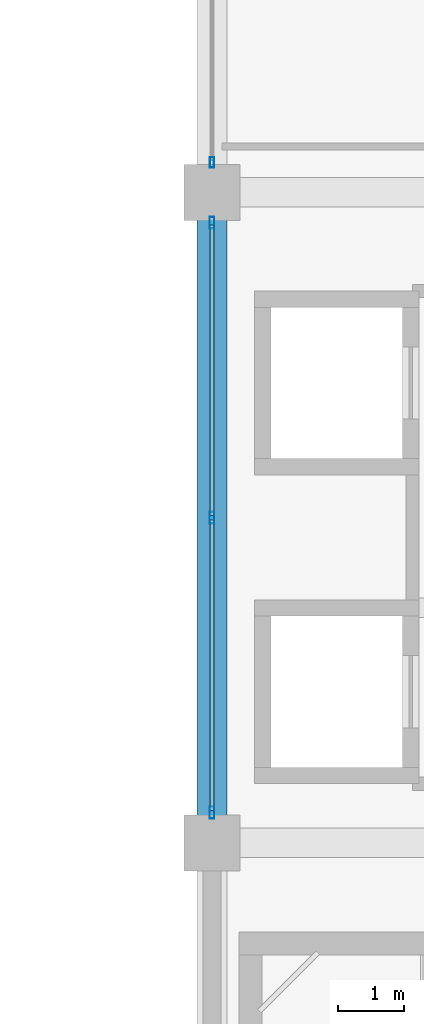
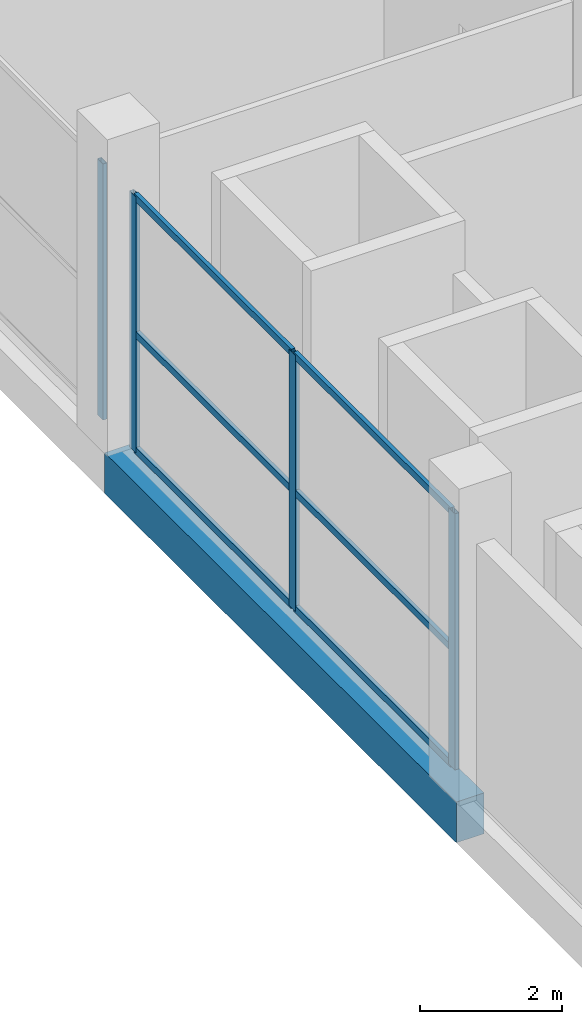
# One storey, part 4 of 74: 10 members, 1 beam, 2 elements without a shape of their own.
"""IFC4 building model written with IfcOpenShell, lengths in metres."""

from ifc_helpers import new_model, si_unit, direction, frame, origin, origin_2d, place, context, subcontext, project, spatial, rectangle, hollow_rectangle, extrude, material, layer, layer_set, material_profile, profile_set, type_object, element, aggregate, save


model = new_model("IFC4")

# Units and contexts
model_context = context("Model", 3, precision=1e-05, world=origin(), true_north=direction((0.0, 1.0)))
body_context = subcontext(model_context, "Body", "Model", "MODEL_VIEW")
ifc_project = project(units=[si_unit("LENGTHUNIT", "METRE"), si_unit("AREAUNIT", "SQUARE_METRE"), si_unit("VOLUMEUNIT", "CUBIC_METRE"), si_unit("PLANEANGLEUNIT", "RADIAN"), si_unit("MASSUNIT", "GRAM", prefix="KILO")], contexts=[model_context])

# Site, building, storey
site_placement = place(None, origin())
site = spatial("IfcSite", under=ifc_project, at=site_placement, CompositionType="ELEMENT")
building_placement = place(site_placement, origin())
building = spatial("IfcBuilding", under=site, at=building_placement, Name="Sillaruma Civic Art Gallery", CompositionType="ELEMENT")
storey_placement = place(building_placement, frame((0.0, 0.0, 5.43994140625)))
storey = spatial("IfcBuildingStorey", under=building, at=storey_placement, Name="L01", CompositionType="ELEMENT", Elevation=5.43994140625)

# Beam
ifc_material_1 = material(Name="Concrete H35 (35 MPa)", Category="concrete")
ifc_material_profile_1 = material_profile(ifc_material_1, rectangle(XDim=0.449951171875, YDim=0.699951171875, at=origin_2d()), Name="RCB450x700")
ifc_profile_set_1 = profile_set([ifc_material_profile_1], Name="Concrete H35 (35 MPa)")
beam_type = type_object("IfcBeamType", Name="BM-SPANDREL-RCB450x700", PredefinedType="SPANDREL", material=ifc_profile_set_1)
beam_placement = place(storey_placement, frame((62.0, 39.60009765625, -0.60986328125), z_axis=(0.0, 1.0, 0.0), x_axis=(-1.0, 0.0, 0.0)))
element("IfcBeam", 1, at=beam_placement, inside=storey, type_object=beam_type, Name="Beam BS-03 (L00:F:5-6)", PredefinedType="SPANDREL", context=body_context, shape_type="SweptSolid", body=[
    extrude(rectangle(XDim=0.449951171875, YDim=0.699951171875, at=origin_2d()), origin(), (0.0, 0.0, 1.0), 9.89990234375),
])

# Curtain wall, member
ifc_material_2 = material(Name="Thermally Broken Extruded Aluminium 6063-T6", Category="aluminium")
ifc_layer_1 = layer(ifc_material_2, 0.159912109375, Name="Thermally Broken Extruded Aluminium 6063-T6")
ifc_layer_set_1 = layer_set([ifc_layer_1], Name="Thermally Broken Extruded Aluminium 6063-T6")
curtain_wall_type_1 = type_object("IfcCurtainWallType", Name="CW-UNI-14", PredefinedType="NOTDEFINED", material=ifc_layer_set_1)
curtain_wall_1_placement = place(storey_placement, origin())
curtain_wall_1 = element("IfcCurtainWall", 2, at=curtain_wall_1_placement, inside=storey, type_object=curtain_wall_type_1, Name="Unitised Curtain Wall CW-14 (CW-L01-SPW-4)", PredefinedType="NOTDEFINED")
ifc_material_profile_2 = material_profile(ifc_material_2, hollow_rectangle(XDim=0.06494140625, YDim=0.159912109375, WallThickness=0.00390625, at=origin_2d()), Name="CWM65x160")
ifc_profile_set_2 = profile_set([ifc_material_profile_2], Name="Thermally Broken Extruded Aluminium 6063-T6")
member_type_1 = type_object("IfcMemberType", Name="MEM-MUL-CWM65x160", PredefinedType="MULLION", material=ifc_profile_set_2)
member_1_placement = place(storey_placement, frame((62.0, 49.95751953125, 0.0), z_axis=(0.0, 0.0, 1.0), x_axis=(-1.0, 0.0, 0.0)))
member_1 = element("IfcMember", 3, at=member_1_placement, type_object=member_type_1, Name="CW-14 mullion 1", PredefinedType="MULLION", context=body_context, shape_type="SweptSolid", body=[
    extrude(hollow_rectangle(XDim=0.06494140625, YDim=0.159912109375, WallThickness=0.00390625, at=origin_2d()), origin(), (0.0, 0.0, 1.0), 4.400146484375),
])
aggregate(curtain_wall_1, [member_1])

# Curtain wall, members
ifc_layer_2 = layer(ifc_material_2, 0.179931640625, Name="Thermally Broken Extruded Aluminium 6063-T6")
ifc_layer_set_2 = layer_set([ifc_layer_2], Name="Thermally Broken Extruded Aluminium 6063-T6")
curtain_wall_type_2 = type_object("IfcCurtainWallType", Name="CW-UNI-13", PredefinedType="NOTDEFINED", material=ifc_layer_set_2)
curtain_wall_2_placement = place(storey_placement, origin())
curtain_wall_2 = element("IfcCurtainWall", 4, at=curtain_wall_2_placement, inside=storey, type_object=curtain_wall_type_2, Name="Unitised Curtain Wall CW-13 (CW-L01-SPW-3)", PredefinedType="NOTDEFINED")
ifc_material_profile_3 = material_profile(ifc_material_2, hollow_rectangle(XDim=0.070068359375, YDim=0.179931640625, WallThickness=0.00390625, at=origin_2d()), Name="CWM70x180")
ifc_profile_set_3 = profile_set([ifc_material_profile_3], Name="Thermally Broken Extruded Aluminium 6063-T6")
member_type_2 = type_object("IfcMemberType", Name="MEM-MUL-CWM70x180", PredefinedType="MULLION", material=ifc_profile_set_3)
member_2_placement = place(storey_placement, frame((62.0, 40.06005859375, 0.0), z_axis=(0.0, 0.0, 1.0), x_axis=(-1.0, 0.0, 0.0)))
member_2 = element("IfcMember", 5, at=member_2_placement, type_object=member_type_2, Name="CW-13 mullion 1", PredefinedType="MULLION", context=body_context, shape_type="SweptSolid", body=[
    extrude(hollow_rectangle(XDim=0.070068359375, YDim=0.179931640625, WallThickness=0.00390625, at=origin_2d()), origin(), (0.0, 0.0, 1.0), 4.400146484375),
])
member_3_placement = place(storey_placement, frame((62.0, 44.550048828125, 0.0), z_axis=(0.0, 0.0, 1.0), x_axis=(-1.0, 0.0, 0.0)))
member_3 = element("IfcMember", 6, at=member_3_placement, type_object=member_type_2, Name="CW-13 mullion 2", PredefinedType="MULLION", context=body_context, shape_type="SweptSolid", body=[
    extrude(hollow_rectangle(XDim=0.070068359375, YDim=0.179931640625, WallThickness=0.00390625, at=origin_2d()), origin(), (0.0, 0.0, 1.0), 4.400146484375),
])
member_4_placement = place(storey_placement, frame((62.0, 49.0400390625, 0.0), z_axis=(0.0, 0.0, 1.0), x_axis=(-1.0, 0.0, 0.0)))
member_4 = element("IfcMember", 7, at=member_4_placement, type_object=member_type_2, Name="CW-13 mullion 3", PredefinedType="MULLION", context=body_context, shape_type="SweptSolid", body=[
    extrude(hollow_rectangle(XDim=0.070068359375, YDim=0.179931640625, WallThickness=0.00390625, at=origin_2d()), origin(), (0.0, 0.0, 1.0), 4.400146484375),
])
ifc_material_profile_4 = material_profile(ifc_material_2, hollow_rectangle(XDim=0.06494140625, YDim=0.1201171875, WallThickness=0.00341796875, at=origin_2d()), Name="CWT65x120")
ifc_profile_set_4 = profile_set([ifc_material_profile_4], Name="Thermally Broken Extruded Aluminium 6063-T6")
member_type_3 = type_object("IfcMemberType", Name="MEM-TRN-CWT65x120", PredefinedType="USERDEFINED", material=ifc_profile_set_4)
member_5_placement = place(storey_placement, frame((62.0, 40.094970703125, 0.032470703125), z_axis=(0.0, 1.0, 0.0), x_axis=(-1.0, 0.0, 0.0)))
member_5 = element("IfcMember", 8, at=member_5_placement, type_object=member_type_3, Name="CW-13 transom 1.1", ObjectType="TRANSOM", PredefinedType="USERDEFINED", context=body_context, shape_type="SweptSolid", body=[
    extrude(hollow_rectangle(XDim=0.06494140625, YDim=0.1201171875, WallThickness=0.00341796875, at=origin_2d()), origin(), (0.0, 0.0, 1.0), 4.419921875),
])
member_6_placement = place(storey_placement, frame((62.0, 40.094970703125, 2.024169921875), z_axis=(0.0, 1.0, 0.0), x_axis=(-1.0, 0.0, 0.0)))
member_6 = element("IfcMember", 9, at=member_6_placement, type_object=member_type_3, Name="CW-13 transom 1.2", ObjectType="TRANSOM", PredefinedType="USERDEFINED", context=body_context, shape_type="SweptSolid", body=[
    extrude(hollow_rectangle(XDim=0.06494140625, YDim=0.1201171875, WallThickness=0.00341796875, at=origin_2d()), origin(), (0.0, 0.0, 1.0), 4.419921875),
])
member_7_placement = place(storey_placement, frame((62.0, 40.094970703125, 4.36767578125), z_axis=(0.0, 1.0, 0.0), x_axis=(-1.0, 0.0, 0.0)))
member_7 = element("IfcMember", 10, at=member_7_placement, type_object=member_type_3, Name="CW-13 transom 1.3", ObjectType="TRANSOM", PredefinedType="USERDEFINED", context=body_context, shape_type="SweptSolid", body=[
    extrude(hollow_rectangle(XDim=0.06494140625, YDim=0.1201171875, WallThickness=0.00341796875, at=origin_2d()), origin(), (0.0, 0.0, 1.0), 4.419921875),
])
member_8_placement = place(storey_placement, frame((62.0, 44.5849609375, 0.032470703125), z_axis=(0.0, 1.0, 0.0), x_axis=(-1.0, 0.0, 0.0)))
member_8 = element("IfcMember", 11, at=member_8_placement, type_object=member_type_3, Name="CW-13 transom 2.1", ObjectType="TRANSOM", PredefinedType="USERDEFINED", context=body_context, shape_type="SweptSolid", body=[
    extrude(hollow_rectangle(XDim=0.06494140625, YDim=0.1201171875, WallThickness=0.00341796875, at=origin_2d()), origin(), (0.0, 0.0, 1.0), 4.419921875),
])
member_9_placement = place(storey_placement, frame((62.0, 44.5849609375, 2.024169921875), z_axis=(0.0, 1.0, 0.0), x_axis=(-1.0, 0.0, 0.0)))
member_9 = element("IfcMember", 12, at=member_9_placement, type_object=member_type_3, Name="CW-13 transom 2.2", ObjectType="TRANSOM", PredefinedType="USERDEFINED", context=body_context, shape_type="SweptSolid", body=[
    extrude(hollow_rectangle(XDim=0.06494140625, YDim=0.1201171875, WallThickness=0.00341796875, at=origin_2d()), origin(), (0.0, 0.0, 1.0), 4.419921875),
])
member_10_placement = place(storey_placement, frame((62.0, 44.5849609375, 4.36767578125), z_axis=(0.0, 1.0, 0.0), x_axis=(-1.0, 0.0, 0.0)))
member_10 = element("IfcMember", 13, at=member_10_placement, type_object=member_type_3, Name="CW-13 transom 2.3", ObjectType="TRANSOM", PredefinedType="USERDEFINED", context=body_context, shape_type="SweptSolid", body=[
    extrude(hollow_rectangle(XDim=0.06494140625, YDim=0.1201171875, WallThickness=0.00341796875, at=origin_2d()), origin(), (0.0, 0.0, 1.0), 4.419921875),
])
aggregate(curtain_wall_2, [member_2, member_3, member_4, member_5, member_6, member_7, member_8, member_9, member_10])

save(model, "model.ifc")
